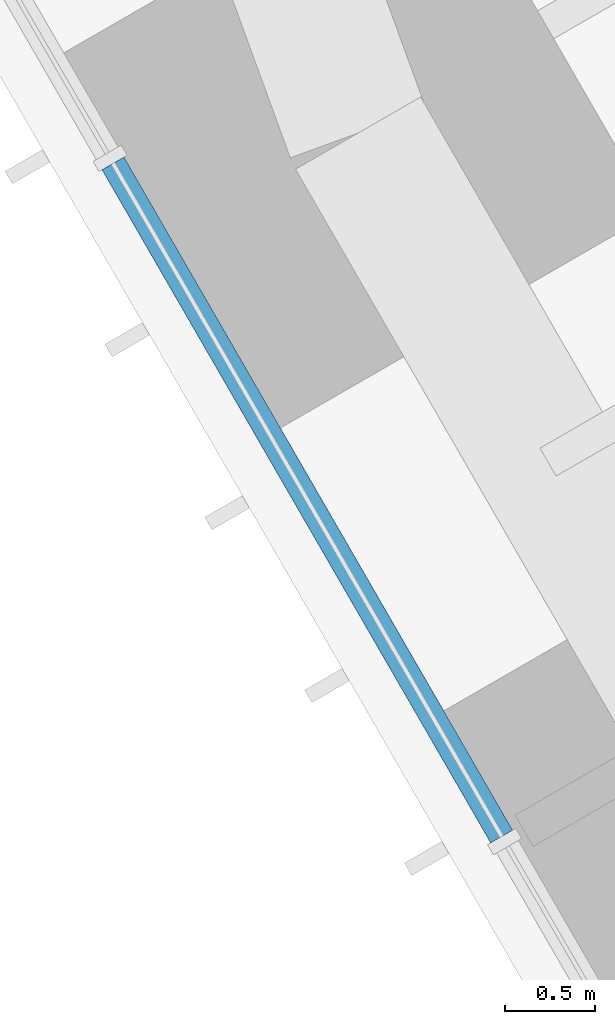
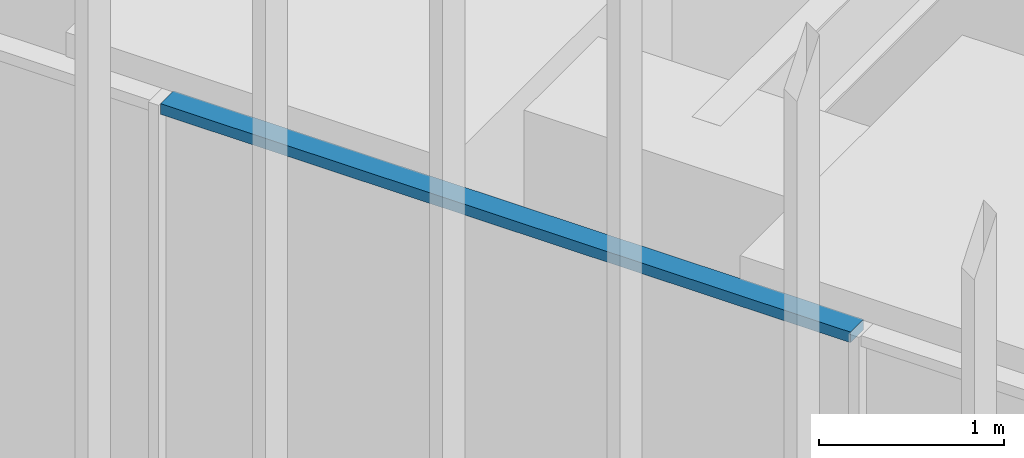
# One storey, part 63 of 256: 1 member, 1 element without a shape of its own.
"""IFC4 building model written with IfcOpenShell, lengths in metres."""

import ifcopenshell
import ifcopenshell.guid

model = None  # the IFC model being written
_history = None  # IfcOwnerHistory: only IFC2X3 demands one
_inside = {}  # id of a spatial element -> (the spatial element, [elements in it])
_under = {}  # id of a project, library or spatial element -> (it, [spatial elements below it])
_declared = {}  # id of a project -> (the project, [libraries it declares])
_typed = {}  # id of a type object -> (the type object, [elements of that type])
_made_of = {}  # id of a material, layer set ... -> (it, [elements and type objects made of it])


def new_model(schema):
    """Start an empty IFC model of exactly this schema.

    Asked for "IFC4X3", IfcOpenShell would pick the latest addendum, in which some entities
    have other attributes; the version numbers below select the first issue.
    IFC2X3 requires an IfcOwnerHistory on every rooted entity: one is made here for all.
    """
    global model, _history
    if schema == "IFC4X3":
        model = ifcopenshell.file(schema_version=(4, 3, 0, 0))
    else:
        model = ifcopenshell.file(schema=schema)
    _inside.clear()
    _under.clear()
    _declared.clear()
    _typed.clear()
    _made_of.clear()
    _history = None
    if model.schema == "IFC2X3":
        org = make("IfcOrganization", Name="unknown")
        user = make(
            "IfcPersonAndOrganization",
            ThePerson=make("IfcPerson", FamilyName="unknown"),
            TheOrganization=org,
        )
        app = make(
            "IfcApplication",
            ApplicationDeveloper=org,
            Version="unknown",
            ApplicationFullName="unknown",
            ApplicationIdentifier="unknown",
        )
        _history = make(
            "IfcOwnerHistory",
            OwningUser=user,
            OwningApplication=app,
            ChangeAction="ADDED",
            CreationDate=0,
        )
    return model


def make(cls, **values):
    """One entity of the class cls with the attributes given. An attribute that is None is left unset."""
    return model.create_entity(
        cls, **{name: value for name, value in values.items() if value is not None}
    )


def rooted(cls, **values):
    """An entity with a GlobalId (a new one), such as an element, a storey or a relation."""
    return make(cls, GlobalId=ifcopenshell.guid.new(), OwnerHistory=_history, **values)


def si_unit(unit_type, name, prefix=None):
    """IfcSIUnit, for example si_unit("LENGTHUNIT", "METRE", prefix="MILLI")."""
    return make("IfcSIUnit", UnitType=unit_type, Prefix=prefix, Name=name)


def assignment(units):
    """IfcUnitAssignment: the units of a project."""
    return None if units is None else make("IfcUnitAssignment", Units=units)


def point(xyz):
    """IfcCartesianPoint."""
    return None if xyz is None else make("IfcCartesianPoint", Coordinates=xyz)


def direction(xyz):
    """IfcDirection."""
    return None if xyz is None else make("IfcDirection", DirectionRatios=xyz)


def frame(location, z_axis=None, x_axis=None):
    """IfcAxis2Placement3D, a coordinate frame: its origin and axes. An axis left out is left unset."""
    return make(
        "IfcAxis2Placement3D",
        Location=point(location),
        Axis=direction(z_axis),
        RefDirection=direction(x_axis),
    )


def frame_2d(location, x_axis=None):
    """IfcAxis2Placement2D, a coordinate frame in the plane: its origin and x axis."""
    return make(
        "IfcAxis2Placement2D", Location=point(location), RefDirection=direction(x_axis)
    )


def origin():
    """The frame at (0, 0, 0) with its axes left unset."""
    return frame((0.0, 0.0, 0.0))


def origin_2d():
    """The frame at (0, 0) in the plane with its x axis left unset."""
    return frame_2d((0.0, 0.0))


def place(relative_to, where):
    """IfcLocalPlacement: puts the frame where relative to a parent placement (None: the world)."""
    return make(
        "IfcLocalPlacement", PlacementRelTo=relative_to, RelativePlacement=where
    )


def context(
    kind, dimensions, precision=None, world=None, true_north=None, identifier=None
):
    """IfcGeometricRepresentationContext, for example the 3D "Model" context."""
    return make(
        "IfcGeometricRepresentationContext",
        ContextIdentifier=identifier,
        ContextType=kind,
        CoordinateSpaceDimension=dimensions,
        Precision=precision,
        WorldCoordinateSystem=world,
        TrueNorth=true_north,
    )


def subcontext(parent, identifier, kind, view, scale=None):
    """IfcGeometricRepresentationSubContext, for example "Body" below "Model"."""
    return make(
        "IfcGeometricRepresentationSubContext",
        ContextIdentifier=identifier,
        ContextType=kind,
        ParentContext=parent,
        TargetScale=scale,
        TargetView=view,
    )


def project(units=None, contexts=None):
    """IfcProject with its units and contexts."""
    return rooted(
        "IfcProject",
        Name="project",
        RepresentationContexts=contexts,
        UnitsInContext=assignment(units),
    )


def spatial(cls, under=None, at=None, **own):
    """A site, building, storey or space (cls), placed at a placement, below another one or the project."""
    s = rooted(cls, ObjectPlacement=at, **own)
    if under is not None:
        _under.setdefault(under.id(), (under, []))[1].append(s)
    return s


def profile(cls, at=None, kind="AREA", **sizes):
    """A parametric profile (cls). Its sizes go by their IFC names, for example OverallWidth=200.0."""
    return make(cls, ProfileType=kind, Position=at, **sizes)


def rectangle(**sizes):
    """IfcRectangleProfileDef."""
    return profile("IfcRectangleProfileDef", **sizes)


def extrude(swept, where, along, depth):
    """IfcExtrudedAreaSolid: the profile swept, set in the frame where, extruded along a direction by depth."""
    return make(
        "IfcExtrudedAreaSolid",
        SweptArea=swept,
        Position=where,
        ExtrudedDirection=direction(along),
        Depth=depth,
    )


def shape(context_of_items, identifier, shape_type, items):
    """IfcShapeRepresentation: the items that make up one representation, for example the "Body"."""
    return make(
        "IfcShapeRepresentation",
        ContextOfItems=context_of_items,
        RepresentationIdentifier=identifier,
        RepresentationType=shape_type,
        Items=items,
    )


def material(Name=None, Category=None):
    """IfcMaterial."""
    return make("IfcMaterial", Name=Name, Category=Category)


def material_profile(
    of_material, cross_section, Name=None, Category=None, Priority=None
):
    """IfcMaterialProfile: a cross section and its material."""
    return make(
        "IfcMaterialProfile",
        Name=Name,
        Material=of_material,
        Profile=cross_section,
        Priority=Priority,
        Category=Category,
    )


def profile_set(profiles, Name=None, composite=None):
    """IfcMaterialProfileSet."""
    return make(
        "IfcMaterialProfileSet",
        Name=Name,
        MaterialProfiles=profiles,
        CompositeProfile=composite,
    )


def made_of(thing, what):
    """Note that an element or type object is made of a material, layer set ...; save() writes the relation."""
    if what is not None:
        _made_of.setdefault(what.id(), (what, []))[1].append(thing)
    return thing


def type_object(cls, material=None, **own):
    """A type object (cls), such as IfcWallType, which elements share."""
    return made_of(rooted(cls, **own), material)


def element(
    cls,
    number,
    at=None,
    inside=None,
    cuts=None,
    type_object=None,
    material=None,
    context=None,
    identifier="Body",
    shape_type=None,
    held_by="IfcProductDefinitionShape",
    body=None,
    shapes=None,
    **own,
):
    """One element of the class cls, such as IfcWall. Its Tag is "e" and its number.

    at: its placement. inside: the storey or other place that contains it. cuts: it is an
    opening in that element (IfcRelVoidsElement). A single representation is given by context,
    identifier, shape_type and body (its items); several are given by shapes. held_by: the class
    of the entity that holds the representations. save() writes the other relations.
    """
    e = rooted(cls, Tag="e%d" % number, ObjectPlacement=at, **own)
    if body is not None:
        shapes = [shape(context, identifier, shape_type, body)]
    if shapes is not None:
        e.Representation = make(held_by, Representations=shapes)
    if inside is not None:
        _inside.setdefault(inside.id(), (inside, []))[1].append(e)
    if cuts is not None:
        rooted(
            "IfcRelVoidsElement", RelatingBuildingElement=cuts, RelatedOpeningElement=e
        )
    if type_object is not None:
        _typed.setdefault(type_object.id(), (type_object, []))[1].append(e)
    return made_of(e, material)


def aggregate(whole, parts):
    """IfcRelAggregates: a whole, such as a stair, and the parts it consists of."""
    return rooted("IfcRelAggregates", RelatingObject=whole, RelatedObjects=parts)


def save(model, path):
    """Write the relations noted so far, then the file.

    IfcRelAggregates (storeys below a building ...), IfcRelContainedInSpatialStructure (elements
    in a storey), IfcRelDefinesByType, IfcRelAssociatesMaterial and IfcRelDeclares: one each for
    every whole, place, type object, material and project.
    """
    for whole, parts in _under.values():
        aggregate(whole, parts)
    for where, things in _inside.values():
        rooted(
            "IfcRelContainedInSpatialStructure",
            RelatedElements=things,
            RelatingStructure=where,
        )
    for kind, things in _typed.values():
        rooted("IfcRelDefinesByType", RelatedObjects=things, RelatingType=kind)
    for what, things in _made_of.values():
        rooted("IfcRelAssociatesMaterial", RelatedObjects=things, RelatingMaterial=what)
    for by, libraries in _declared.values():
        rooted("IfcRelDeclares", RelatingContext=by, RelatedDefinitions=libraries)
    model.write(path)


model = new_model("IFC4")

# Units and contexts
model_context = context("Model", 3, precision=1e-05, world=origin(), true_north=direction((0.0, 1.0)))
body_context = subcontext(model_context, "Body", "Model", "MODEL_VIEW")
ifc_project = project(units=[si_unit("LENGTHUNIT", "METRE"), si_unit("AREAUNIT", "SQUARE_METRE"), si_unit("VOLUMEUNIT", "CUBIC_METRE"), si_unit("PLANEANGLEUNIT", "RADIAN"), si_unit("MASSUNIT", "GRAM", prefix="KILO")], contexts=[model_context])

# Site, building, storey
site_placement = place(None, origin())
site = spatial("IfcSite", under=ifc_project, at=site_placement, CompositionType="ELEMENT")
building_placement = place(site_placement, origin())
building = spatial("IfcBuilding", under=site, at=building_placement, Name="Sandreach Pilgrim Tower", CompositionType="ELEMENT")
storey_placement = place(building_placement, frame((0.0, 0.0, 23.0)))
storey = spatial("IfcBuildingStorey", under=building, at=storey_placement, Name="L04", CompositionType="ELEMENT", Elevation=23.0)

# Curtain wall, member
ifc_material_1 = material(Name="Aluminium framed curtain wall", Category="aluminium")
curtain_wall_type = type_object("IfcCurtainWallType", Name="Hostel tower curtain wall", PredefinedType="NOTDEFINED", material=ifc_material_1)
curtain_wall_placement = place(storey_placement, origin())
curtain_wall = element("IfcCurtainWall", 1, at=curtain_wall_placement, inside=storey, type_object=curtain_wall_type, Name="CW-1 L04 SW", PredefinedType="NOTDEFINED")
ifc_material_2 = material(Name="Aluminium extrusion", Category="aluminium")
ifc_material_profile = material_profile(ifc_material_2, rectangle(XDim=0.139892578125, YDim=0.070068359375, at=origin_2d()), Name="CW-1T 140X70")
ifc_profile_set = profile_set([ifc_material_profile], Name="Aluminium extrusion")
member_type = type_object("IfcMemberType", Name="CW-1 transom", PredefinedType="USERDEFINED", material=ifc_profile_set)
member_placement = place(storey_placement, frame((-26.220947265625, -2.4814453125, 3.60498046875), z_axis=(-0.500016891966, 0.866015650984, 0.0), x_axis=(-0.866015650984, -0.500016891966, 0.0)))
member = element("IfcMember", 2, at=member_placement, type_object=member_type, Name="CW-1 head transom 8", ObjectType="TRANSOM", PredefinedType="USERDEFINED", context=body_context, shape_type="SweptSolid", body=[
    extrude(rectangle(XDim=0.139892578125, YDim=0.070068359375, at=origin_2d()), origin(), (0.0, 0.0, 1.0), 4.306396484375),
])
aggregate(curtain_wall, [member])

save(model, "model.ifc")
